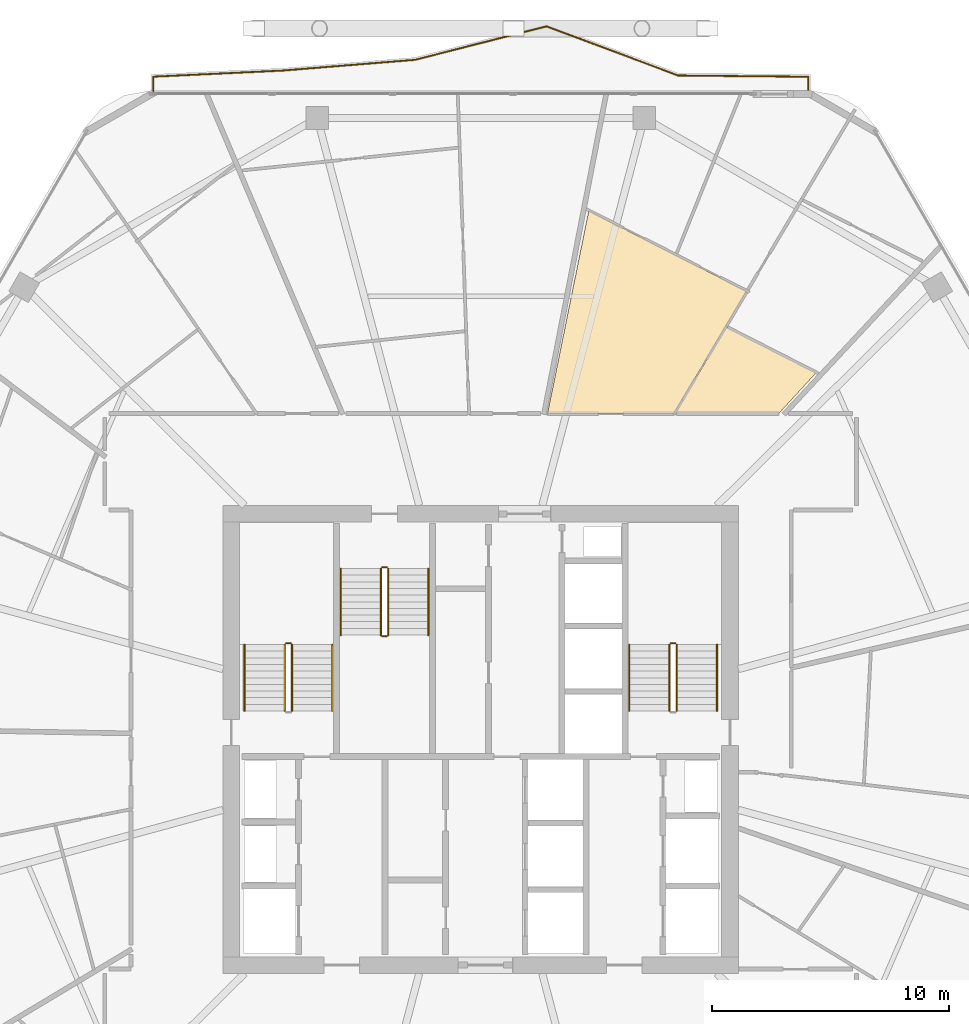
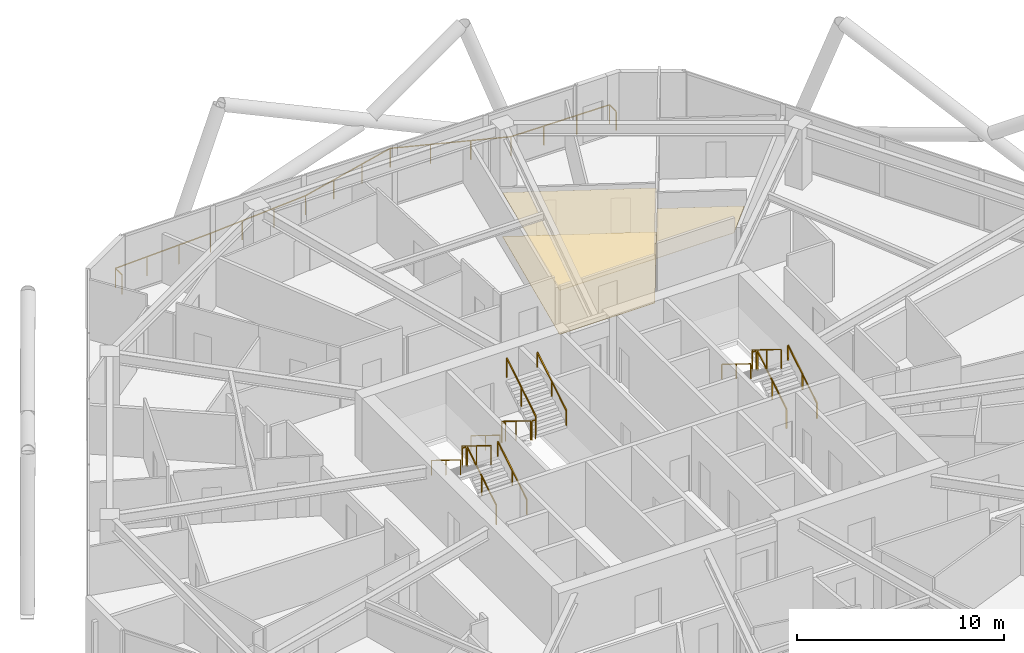
# One storey, part 28 of 28: 17 railings, 3 coverings.
"""IFC4 building model written with IfcOpenShell, lengths in metres."""

from ifc_helpers import new_model, si_unit, direction, frame, origin, origin_2d, place, context, subcontext, project, spatial, polyline, rectangle, outline, extrude, material, layer, layer_set, type_object, element, save


model = new_model("IFC4")

# Units and contexts
model_context = context("Model", 3, precision=1e-05, world=origin(), true_north=direction((0.0, 1.0)))
body_context = subcontext(model_context, "Body", "Model", "MODEL_VIEW")
ifc_project = project(units=[si_unit("LENGTHUNIT", "METRE"), si_unit("AREAUNIT", "SQUARE_METRE"), si_unit("VOLUMEUNIT", "CUBIC_METRE"), si_unit("PLANEANGLEUNIT", "RADIAN"), si_unit("MASSUNIT", "GRAM", prefix="KILO")], contexts=[model_context])

# Site, building, storey
site_placement = place(None, origin())
site = spatial("IfcSite", under=ifc_project, at=site_placement, CompositionType="ELEMENT")
building_placement = place(site_placement, origin())
building = spatial("IfcBuilding", under=site, at=building_placement, Name="Zuhravey Tower", CompositionType="ELEMENT")
storey_placement = place(building_placement, frame((0.0, 0.0, 207.39990234375)))
storey = spatial("IfcBuildingStorey", under=building, at=storey_placement, Name="L52", CompositionType="ELEMENT", Elevation=207.39990234375)

# Coverings
ifc_material_1 = material(Name="Mineral-fibre acoustic ceiling tile")
ifc_layer_1 = layer(ifc_material_1, 0.02490234375)
ifc_layer_set_1 = layer_set([ifc_layer_1], Name="Mineral-fibre acoustic ceiling tile")
covering_type_1 = type_object("IfcCoveringType", Name="Acoustic Suspended Ceiling", PredefinedType="CEILING", material=ifc_layer_set_1)
covering_1_placement = place(storey_placement, frame((0.0, 0.0, 2.590087890625)))
element("IfcCovering", 1, at=covering_1_placement, inside=storey, type_object=covering_type_1, Name="L52 Acoustic Suspended Ceiling CLG1", PredefinedType="CEILING", context=body_context, shape_type="SweptSolid", body=[
    extrude(outline(polyline([(44.135498046875, 45.72998046875), (38.813720703125, 45.72998046875), (40.54931640625, 54.260498046875), (47.193115234375, 50.875244140625), (44.135498046875, 45.72998046875)])), origin(), (0.0, 0.0, 1.0), 0.02490234375),
])
ifc_material_2 = material(Name="Porcelain tile finish")
ifc_layer_2 = layer(ifc_material_2, 0.02001953125)
ifc_layer_set_2 = layer_set([ifc_layer_2], Name="Porcelain tile finish")
covering_type_2 = type_object("IfcCoveringType", Name="Apartment Ondol Porcelain Flooring", PredefinedType="FLOORING", material=ifc_layer_set_2)
covering_2_placement = place(storey_placement, origin())
element("IfcCovering", 2, at=covering_2_placement, inside=storey, type_object=covering_type_2, Name="L52 Principal Room Acoustic Flooring", PredefinedType="FLOORING", context=body_context, shape_type="SweptSolid", body=[
    extrude(outline(polyline([(44.135498046875, 45.72998046875), (38.813720703125, 45.72998046875), (40.54931640625, 54.260498046875), (47.193115234375, 50.875244140625), (44.135498046875, 45.72998046875)])), origin(), (0.0, 0.0, 1.0), 0.02001953125),
])

# Railing
ifc_material_3 = material(Name="Stainless steel 316 and laminated glass", Category="steel")
railing_type_1 = type_object("IfcRailingType", Name="Balcony & Terrace Guardrail 1150", PredefinedType="BALUSTRADE", material=ifc_material_3)
railing_1_placement = place(storey_placement, frame((22.2099609375, 59.26806640625, 0.0)))
element("IfcRailing", 3, at=railing_1_placement, inside=storey, type_object=railing_type_1, Name="L52 Face 2 Wave Balcony Guardrail GR1", PredefinedType="BALUSTRADE", context=body_context, shape_type="SweptSolid", body=[
    extrude(rectangle(XDim=0.048095703125, YDim=0.048095703125, at=origin_2d()), frame((0.0, 0.001953125, 1.1259765625), z_axis=(0.0, 1.0, 0.0), x_axis=(-1.0, 0.0, 0.0)), (0.0, 0.0, 1.0), 0.640625),
    extrude(rectangle(XDim=0.048095703125, YDim=0.048095703125, at=origin_2d()), frame((0.001953125, 0.64453125, 1.1259765625), z_axis=(0.99888804879, 0.047145158645, 0.0), x_axis=(-0.047145158645, 0.99888804879, 0.0)), (0.0, 0.0, 1.0), 5.464599609375),
    extrude(rectangle(XDim=0.048095703125, YDim=0.048095703125, at=origin_2d()), frame((5.46435546875, 0.902587890625, 1.1259765625), z_axis=(0.996709889921, 0.081051806479, 0.0), x_axis=(-0.081051806479, 0.996709889921, 0.0)), (0.0, 0.0, 1.0), 5.58056640625),
    extrude(rectangle(XDim=0.048095703125, YDim=0.048095703125, at=origin_2d()), frame((11.030517578125, 1.35546875, 1.1259765625), z_axis=(0.969061670524, 0.246818716312, 0.0), x_axis=(-0.246818716312, 0.969061670524, 0.0)), (0.0, 0.0, 1.0), 5.706298828125),
    extrude(rectangle(XDim=0.048095703125, YDim=0.048095703125, at=origin_2d()), frame((16.564208984375, 2.763671875, 1.1259765625), z_axis=(0.936781115748, -0.349915905865, 0.0), x_axis=(0.349915905865, 0.936781115748, 0.0)), (0.0, 0.0, 1.0), 5.913330078125),
    extrude(rectangle(XDim=0.048095703125, YDim=0.048095703125, at=origin_2d()), frame((22.107421875, 0.69384765625, 1.1259765625), z_axis=(0.999953610348, -0.009632089718, 0.0), x_axis=(0.009632089718, 0.999953610348, 0.0)), (0.0, 0.0, 1.0), 5.470947265625),
    extrude(rectangle(XDim=0.048095703125, YDim=0.048095703125, at=origin_2d()), frame((27.580078125, 0.63916015625, 1.1259765625), z_axis=(0.0, -1.0, 0.0), x_axis=(1.0, 0.0, 0.0)), (0.0, 0.0, 1.0), 0.63720703125),
    extrude(rectangle(XDim=0.0419921875, YDim=0.0419921875, at=origin_2d()), origin(), (0.0, 0.0, 1.0), 1.099853515625),
    extrude(rectangle(XDim=0.0419921875, YDim=0.0419921875, at=origin_2d()), frame((0.0, 0.64453125, 0.0)), (0.0, 0.0, 1.0), 1.099853515625),
    extrude(rectangle(XDim=0.0419921875, YDim=0.0419921875, at=origin_2d()), frame((1.82080078125, 0.73046875, 0.0)), (0.0, 0.0, 1.0), 1.099853515625),
    extrude(rectangle(XDim=0.0419921875, YDim=0.0419921875, at=origin_2d()), frame((3.6416015625, 0.81640625, 0.0)), (0.0, 0.0, 1.0), 1.099853515625),
    extrude(rectangle(XDim=0.0419921875, YDim=0.0419921875, at=origin_2d()), frame((5.46240234375, 0.90234375, 0.0)), (0.0, 0.0, 1.0), 1.099853515625),
    extrude(rectangle(XDim=0.0419921875, YDim=0.0419921875, at=origin_2d()), frame((7.31787109375, 1.05322265625, 0.0)), (0.0, 0.0, 1.0), 1.099853515625),
    extrude(rectangle(XDim=0.0419921875, YDim=0.0419921875, at=origin_2d()), frame((9.173095703125, 1.2041015625, 0.0)), (0.0, 0.0, 1.0), 1.099853515625),
    extrude(rectangle(XDim=0.0419921875, YDim=0.0419921875, at=origin_2d()), frame((11.028564453125, 1.35498046875, 0.0)), (0.0, 0.0, 1.0), 1.099853515625),
    extrude(rectangle(XDim=0.0419921875, YDim=0.0419921875, at=origin_2d()), frame((12.873046875, 1.82470703125, 0.0)), (0.0, 0.0, 1.0), 1.099853515625),
    extrude(rectangle(XDim=0.0419921875, YDim=0.0419921875, at=origin_2d()), frame((14.7177734375, 2.294677734375, 0.0)), (0.0, 0.0, 1.0), 1.099853515625),
    extrude(rectangle(XDim=0.0419921875, YDim=0.0419921875, at=origin_2d()), frame((16.562255859375, 2.764404296875, 0.0)), (0.0, 0.0, 1.0), 1.099853515625),
    extrude(rectangle(XDim=0.0419921875, YDim=0.0419921875, at=origin_2d()), frame((18.409912109375, 2.07421875, 0.0)), (0.0, 0.0, 1.0), 1.099853515625),
    extrude(rectangle(XDim=0.0419921875, YDim=0.0419921875, at=origin_2d()), frame((20.2578125, 1.384033203125, 0.0)), (0.0, 0.0, 1.0), 1.099853515625),
    extrude(rectangle(XDim=0.0419921875, YDim=0.0419921875, at=origin_2d()), frame((22.10546875, 0.69384765625, 0.0)), (0.0, 0.0, 1.0), 1.099853515625),
    extrude(rectangle(XDim=0.0419921875, YDim=0.0419921875, at=origin_2d()), frame((23.930419921875, 0.67626953125, 0.0)), (0.0, 0.0, 1.0), 1.099853515625),
    extrude(rectangle(XDim=0.0419921875, YDim=0.0419921875, at=origin_2d()), frame((25.755126953125, 0.65869140625, 0.0)), (0.0, 0.0, 1.0), 1.099853515625),
    extrude(rectangle(XDim=0.0419921875, YDim=0.0419921875, at=origin_2d()), frame((27.580078125, 0.64111328125, 0.0)), (0.0, 0.0, 1.0), 1.099853515625),
    extrude(rectangle(XDim=0.0419921875, YDim=0.0419921875, at=origin_2d()), frame((27.580078125, 0.0, 0.0)), (0.0, 0.0, 1.0), 1.099853515625),
])

# Covering
ifc_material_4 = material(Name="Moisture-resistant gypsum ceiling board")
ifc_layer_3 = layer(ifc_material_4, 0.02001953125)
ifc_layer_set_3 = layer_set([ifc_layer_3], Name="Moisture-resistant gypsum ceiling board")
covering_type_3 = type_object("IfcCoveringType", Name="Moisture-Resistant Ceiling", PredefinedType="CEILING", material=ifc_layer_set_3)
covering_3_placement = place(storey_placement, frame((0.0, 0.0, 2.590087890625)))
element("IfcCovering", 4, at=covering_3_placement, inside=storey, type_object=covering_type_3, Name="L52 Wet-Room Ceiling CLG2", PredefinedType="CEILING", context=body_context, shape_type="SweptSolid", body=[
    extrude(outline(polyline([(48.55419921875, 45.72998046875), (44.181884765625, 45.72998046875), (46.34375, 49.367919921875), (50.123046875, 47.442138671875), (48.55419921875, 45.72998046875)])), origin(), (0.0, 0.0, 1.0), 0.02001953125),
])

# Railings
ifc_material_5 = material(Name="Brushed stainless steel", Category="steel")
railing_type_2 = type_object("IfcRailingType", Name="Stair Wall Handrail 900", PredefinedType="HANDRAIL", material=ifc_material_5)
railing_2_placement = place(storey_placement, frame((29.75, 33.199951171875, 0.1728515625)))
element("IfcRailing", 5, at=railing_2_placement, inside=storey, type_object=railing_type_2, Name="L52 ST1 stair handrail 1", PredefinedType="HANDRAIL", context=body_context, shape_type="SweptSolid", body=[
    extrude(rectangle(XDim=0.048095703125, YDim=0.048095703125, at=origin_2d()), frame((0.0, 0.001708984375, 0.876953125), z_axis=(0.0, 0.851089632645, 0.525020415988), x_axis=(-1.0, 0.0, 0.0)), (0.0, 0.0, 1.0), 3.285888671875),
    extrude(rectangle(XDim=0.0419921875, YDim=0.0419921875, at=origin_2d()), origin(), (0.0, 0.0, 1.0), 0.849853515625),
    extrude(rectangle(XDim=0.0419921875, YDim=0.0419921875, at=origin_2d()), frame((0.0, 1.39990234375, 0.86376953125)), (0.0, 0.0, 1.0), 0.849853515625),
    extrude(rectangle(XDim=0.0419921875, YDim=0.0419921875, at=origin_2d()), frame((0.0, 2.800048828125, 1.727294921875)), (0.0, 0.0, 1.0), 0.849853515625),
])
railing_3_placement = place(storey_placement, frame((26.050048828125, 36.0, 2.07275390625)))
element("IfcRailing", 6, at=railing_3_placement, inside=storey, type_object=railing_type_2, Name="L52 ST1 stair handrail 2", PredefinedType="HANDRAIL", context=body_context, shape_type="SweptSolid", body=[
    extrude(rectangle(XDim=0.048095703125, YDim=0.048095703125, at=origin_2d()), frame((0.0, -0.001708984375, 0.876953125), z_axis=(0.0, -0.851089632645, 0.525020415988), x_axis=(1.0, 0.0, 0.0)), (0.0, 0.0, 1.0), 3.285888671875),
    extrude(rectangle(XDim=0.0419921875, YDim=0.0419921875, at=origin_2d()), origin(), (0.0, 0.0, 1.0), 0.849853515625),
    extrude(rectangle(XDim=0.0419921875, YDim=0.0419921875, at=origin_2d()), frame((0.0, -1.39990234375, 0.86376953125)), (0.0, 0.0, 1.0), 0.849853515625),
    extrude(rectangle(XDim=0.0419921875, YDim=0.0419921875, at=origin_2d()), frame((0.0, -2.800048828125, 1.727294921875)), (0.0, 0.0, 1.0), 0.849853515625),
])
railing_4_placement = place(storey_placement, frame((45.949951171875, 33.199951171875, 0.1728515625)))
element("IfcRailing", 7, at=railing_4_placement, inside=storey, type_object=railing_type_2, Name="L52 ST2 stair handrail 1", PredefinedType="HANDRAIL", context=body_context, shape_type="SweptSolid", body=[
    extrude(rectangle(XDim=0.048095703125, YDim=0.048095703125, at=origin_2d()), frame((0.0, 0.001708984375, 0.876953125), z_axis=(0.0, 0.851089632645, 0.525020415988), x_axis=(-1.0, 0.0, 0.0)), (0.0, 0.0, 1.0), 3.285888671875),
    extrude(rectangle(XDim=0.0419921875, YDim=0.0419921875, at=origin_2d()), origin(), (0.0, 0.0, 1.0), 0.849853515625),
    extrude(rectangle(XDim=0.0419921875, YDim=0.0419921875, at=origin_2d()), frame((0.0, 1.39990234375, 0.86376953125)), (0.0, 0.0, 1.0), 0.849853515625),
    extrude(rectangle(XDim=0.0419921875, YDim=0.0419921875, at=origin_2d()), frame((0.0, 2.800048828125, 1.727294921875)), (0.0, 0.0, 1.0), 0.849853515625),
])
for number, where, name in (
    (8, (42.25, 36.0, 2.07275390625), "L52 ST2 stair handrail 2"),
    (9, (30.10009765625, 39.199951171875, 0.1728515625), "L52 ST3 stair handrail 1"),
):
    element("IfcRailing", number, at=place(storey_placement, frame(where)), inside=storey, type_object=railing_type_2, Name=name, PredefinedType="HANDRAIL", context=body_context, shape_type="SweptSolid", body=[
        extrude(rectangle(XDim=0.048095703125, YDim=0.048095703125, at=origin_2d()), frame((0.0, -0.001708984375, 0.876953125), z_axis=(0.0, -0.851089632645, 0.525020415988), x_axis=(1.0, 0.0, 0.0)), (0.0, 0.0, 1.0), 3.285888671875),
        extrude(rectangle(XDim=0.0419921875, YDim=0.0419921875, at=origin_2d()), origin(), (0.0, 0.0, 1.0), 0.849853515625),
        extrude(rectangle(XDim=0.0419921875, YDim=0.0419921875, at=origin_2d()), frame((0.0, -1.39990234375, 0.86376953125)), (0.0, 0.0, 1.0), 0.849853515625),
        extrude(rectangle(XDim=0.0419921875, YDim=0.0419921875, at=origin_2d()), frame((0.0, -2.800048828125, 1.727294921875)), (0.0, 0.0, 1.0), 0.849853515625),
    ])
railing_5_placement = place(storey_placement, frame((33.800048828125, 36.39990234375, 2.07275390625)))
element("IfcRailing", 10, at=railing_5_placement, inside=storey, type_object=railing_type_2, Name="L52 ST3 stair handrail 2", PredefinedType="HANDRAIL", context=body_context, shape_type="SweptSolid", body=[
    extrude(rectangle(XDim=0.048095703125, YDim=0.048095703125, at=origin_2d()), frame((0.0, 0.001708984375, 0.876953125), z_axis=(0.0, 0.851089632645, 0.525020415988), x_axis=(-1.0, 0.0, 0.0)), (0.0, 0.0, 1.0), 3.285888671875),
    extrude(rectangle(XDim=0.0419921875, YDim=0.0419921875, at=origin_2d()), origin(), (0.0, 0.0, 1.0), 0.849853515625),
    extrude(rectangle(XDim=0.0419921875, YDim=0.0419921875, at=origin_2d()), frame((0.0, 1.39990234375, 0.86376953125)), (0.0, 0.0, 1.0), 0.849853515625),
    extrude(rectangle(XDim=0.0419921875, YDim=0.0419921875, at=origin_2d()), frame((0.0, 2.800048828125, 1.727294921875)), (0.0, 0.0, 1.0), 0.849853515625),
])
ifc_material_6 = material(Name="Painted tubular steel", Category="steel")
railing_type_3 = type_object("IfcRailingType", Name="Stair Well Guardrail 1150", PredefinedType="GUARDRAIL", material=ifc_material_6)
railing_6_placement = place(storey_placement, frame((28.050048828125, 33.199951171875, 0.1728515625)))
element("IfcRailing", 11, at=railing_6_placement, inside=storey, type_object=railing_type_3, Name="L52 ST1 stair guard 1", PredefinedType="GUARDRAIL", context=body_context, shape_type="SweptSolid", body=[
    extrude(rectangle(XDim=0.048095703125, YDim=0.048095703125, at=origin_2d()), frame((0.0, 0.001708984375, 1.126953125), z_axis=(0.0, 0.851089632645, 0.525020415988), x_axis=(-1.0, 0.0, 0.0)), (0.0, 0.0, 1.0), 3.285888671875),
    extrude(rectangle(XDim=0.0419921875, YDim=0.0419921875, at=origin_2d()), origin(), (0.0, 0.0, 1.0), 1.099853515625),
    extrude(rectangle(XDim=0.0419921875, YDim=0.0419921875, at=origin_2d()), frame((0.0, 1.39990234375, 0.86376953125)), (0.0, 0.0, 1.0), 1.099853515625),
    extrude(rectangle(XDim=0.0419921875, YDim=0.0419921875, at=origin_2d()), frame((0.0, 2.800048828125, 1.727294921875)), (0.0, 0.0, 1.0), 1.099853515625),
])
railing_7_placement = place(storey_placement, frame((28.0, 36.050048828125, 1.900146484375)))
element("IfcRailing", 12, at=railing_7_placement, inside=storey, type_object=railing_type_3, Name="L52 ST1 stair guard 2", PredefinedType="GUARDRAIL", context=body_context, shape_type="SweptSolid", body=[
    extrude(rectangle(XDim=0.048095703125, YDim=0.048095703125, at=origin_2d()), frame((-0.001953125, 0.0, 1.1259765625), z_axis=(-1.0, 0.0, 0.0), x_axis=(0.0, -1.0, 0.0)), (0.0, 0.0, 1.0), 0.196044921875),
    extrude(rectangle(XDim=0.0419921875, YDim=0.0419921875, at=origin_2d()), origin(), (0.0, 0.0, 1.0), 1.099853515625),
    extrude(rectangle(XDim=0.0419921875, YDim=0.0419921875, at=origin_2d()), frame((-0.199951171875, 0.0, 0.0)), (0.0, 0.0, 1.0), 1.099853515625),
])
railing_8_placement = place(storey_placement, frame((27.75, 36.0, 2.07275390625)))
element("IfcRailing", 13, at=railing_8_placement, inside=storey, type_object=railing_type_3, Name="L52 ST1 stair guard 3", PredefinedType="GUARDRAIL", context=body_context, shape_type="SweptSolid", body=[
    extrude(rectangle(XDim=0.048095703125, YDim=0.048095703125, at=origin_2d()), frame((0.0, -0.001708984375, 1.126953125), z_axis=(0.0, -0.851089632645, 0.525020415988), x_axis=(1.0, 0.0, 0.0)), (0.0, 0.0, 1.0), 3.285888671875),
    extrude(rectangle(XDim=0.0419921875, YDim=0.0419921875, at=origin_2d()), origin(), (0.0, 0.0, 1.0), 1.099853515625),
    extrude(rectangle(XDim=0.0419921875, YDim=0.0419921875, at=origin_2d()), frame((0.0, -1.39990234375, 0.86376953125)), (0.0, 0.0, 1.0), 1.099853515625),
    extrude(rectangle(XDim=0.0419921875, YDim=0.0419921875, at=origin_2d()), frame((0.0, -2.800048828125, 1.727294921875)), (0.0, 0.0, 1.0), 1.099853515625),
])
railing_9_placement = place(storey_placement, frame((44.25, 33.199951171875, 0.1728515625)))
element("IfcRailing", 14, at=railing_9_placement, inside=storey, type_object=railing_type_3, Name="L52 ST2 stair guard 1", PredefinedType="GUARDRAIL", context=body_context, shape_type="SweptSolid", body=[
    extrude(rectangle(XDim=0.048095703125, YDim=0.048095703125, at=origin_2d()), frame((0.0, 0.001708984375, 1.126953125), z_axis=(0.0, 0.851089632645, 0.525020415988), x_axis=(-1.0, 0.0, 0.0)), (0.0, 0.0, 1.0), 3.285888671875),
    extrude(rectangle(XDim=0.0419921875, YDim=0.0419921875, at=origin_2d()), origin(), (0.0, 0.0, 1.0), 1.099853515625),
    extrude(rectangle(XDim=0.0419921875, YDim=0.0419921875, at=origin_2d()), frame((0.0, 1.39990234375, 0.86376953125)), (0.0, 0.0, 1.0), 1.099853515625),
    extrude(rectangle(XDim=0.0419921875, YDim=0.0419921875, at=origin_2d()), frame((0.0, 2.800048828125, 1.727294921875)), (0.0, 0.0, 1.0), 1.099853515625),
])
railing_10_placement = place(storey_placement, frame((44.199951171875, 36.050048828125, 1.900146484375)))
element("IfcRailing", 15, at=railing_10_placement, inside=storey, type_object=railing_type_3, Name="L52 ST2 stair guard 2", PredefinedType="GUARDRAIL", context=body_context, shape_type="SweptSolid", body=[
    extrude(rectangle(XDim=0.048095703125, YDim=0.048095703125, at=origin_2d()), frame((-0.001953125, 0.0, 1.1259765625), z_axis=(-1.0, 0.0, 0.0), x_axis=(0.0, -1.0, 0.0)), (0.0, 0.0, 1.0), 0.196044921875),
    extrude(rectangle(XDim=0.0419921875, YDim=0.0419921875, at=origin_2d()), origin(), (0.0, 0.0, 1.0), 1.099853515625),
    extrude(rectangle(XDim=0.0419921875, YDim=0.0419921875, at=origin_2d()), frame((-0.199951171875, 0.0, 0.0)), (0.0, 0.0, 1.0), 1.099853515625),
])
for number, where, name in (
    (16, (43.949951171875, 36.0, 2.07275390625), "L52 ST2 stair guard 3"),
    (17, (31.800048828125, 39.199951171875, 0.1728515625), "L52 ST3 stair guard 1"),
):
    element("IfcRailing", number, at=place(storey_placement, frame(where)), inside=storey, type_object=railing_type_3, Name=name, PredefinedType="GUARDRAIL", context=body_context, shape_type="SweptSolid", body=[
        extrude(rectangle(XDim=0.048095703125, YDim=0.048095703125, at=origin_2d()), frame((0.0, -0.001708984375, 1.126953125), z_axis=(0.0, -0.851089632645, 0.525020415988), x_axis=(1.0, 0.0, 0.0)), (0.0, 0.0, 1.0), 3.285888671875),
        extrude(rectangle(XDim=0.0419921875, YDim=0.0419921875, at=origin_2d()), origin(), (0.0, 0.0, 1.0), 1.099853515625),
        extrude(rectangle(XDim=0.0419921875, YDim=0.0419921875, at=origin_2d()), frame((0.0, -1.39990234375, 0.86376953125)), (0.0, 0.0, 1.0), 1.099853515625),
        extrude(rectangle(XDim=0.0419921875, YDim=0.0419921875, at=origin_2d()), frame((0.0, -2.800048828125, 1.727294921875)), (0.0, 0.0, 1.0), 1.099853515625),
    ])
railing_11_placement = place(storey_placement, frame((31.85009765625, 36.35009765625, 1.900146484375)))
element("IfcRailing", 18, at=railing_11_placement, inside=storey, type_object=railing_type_3, Name="L52 ST3 stair guard 2", PredefinedType="GUARDRAIL", context=body_context, shape_type="SweptSolid", body=[
    extrude(rectangle(XDim=0.048095703125, YDim=0.048095703125, at=origin_2d()), frame((0.001953125, 0.0, 1.1259765625), z_axis=(1.0, 0.0, 0.0), x_axis=(0.0, 1.0, 0.0)), (0.0, 0.0, 1.0), 0.196044921875),
    extrude(rectangle(XDim=0.0419921875, YDim=0.0419921875, at=origin_2d()), origin(), (0.0, 0.0, 1.0), 1.099853515625),
    extrude(rectangle(XDim=0.0419921875, YDim=0.0419921875, at=origin_2d()), frame((0.199951171875, 0.0, 0.0)), (0.0, 0.0, 1.0), 1.099853515625),
])
railing_12_placement = place(storey_placement, frame((32.10009765625, 36.39990234375, 2.07275390625)))
element("IfcRailing", 19, at=railing_12_placement, inside=storey, type_object=railing_type_3, Name="L52 ST3 stair guard 3", PredefinedType="GUARDRAIL", context=body_context, shape_type="SweptSolid", body=[
    extrude(rectangle(XDim=0.048095703125, YDim=0.048095703125, at=origin_2d()), frame((0.0, 0.001708984375, 1.126953125), z_axis=(0.0, 0.851089632645, 0.525020415988), x_axis=(-1.0, 0.0, 0.0)), (0.0, 0.0, 1.0), 3.285888671875),
    extrude(rectangle(XDim=0.0419921875, YDim=0.0419921875, at=origin_2d()), origin(), (0.0, 0.0, 1.0), 1.099853515625),
    extrude(rectangle(XDim=0.0419921875, YDim=0.0419921875, at=origin_2d()), frame((0.0, 1.39990234375, 0.86376953125)), (0.0, 0.0, 1.0), 1.099853515625),
    extrude(rectangle(XDim=0.0419921875, YDim=0.0419921875, at=origin_2d()), frame((0.0, 2.800048828125, 1.727294921875)), (0.0, 0.0, 1.0), 1.099853515625),
])
railing_13_placement = place(storey_placement, frame((31.85009765625, 39.25, 0.0)))
element("IfcRailing", 20, at=railing_13_placement, inside=storey, type_object=railing_type_3, Name="L52 ST3 stair guard 4", PredefinedType="GUARDRAIL", context=body_context, shape_type="SweptSolid", body=[
    extrude(rectangle(XDim=0.048095703125, YDim=0.048095703125, at=origin_2d()), frame((0.001953125, 0.0, 1.1259765625), z_axis=(1.0, 0.0, 0.0), x_axis=(0.0, 1.0, 0.0)), (0.0, 0.0, 1.0), 0.196044921875),
    extrude(rectangle(XDim=0.0419921875, YDim=0.0419921875, at=origin_2d()), origin(), (0.0, 0.0, 1.0), 1.099853515625),
    extrude(rectangle(XDim=0.0419921875, YDim=0.0419921875, at=origin_2d()), frame((0.199951171875, 0.0, 0.0)), (0.0, 0.0, 1.0), 1.099853515625),
])

save(model, "model.ifc")
